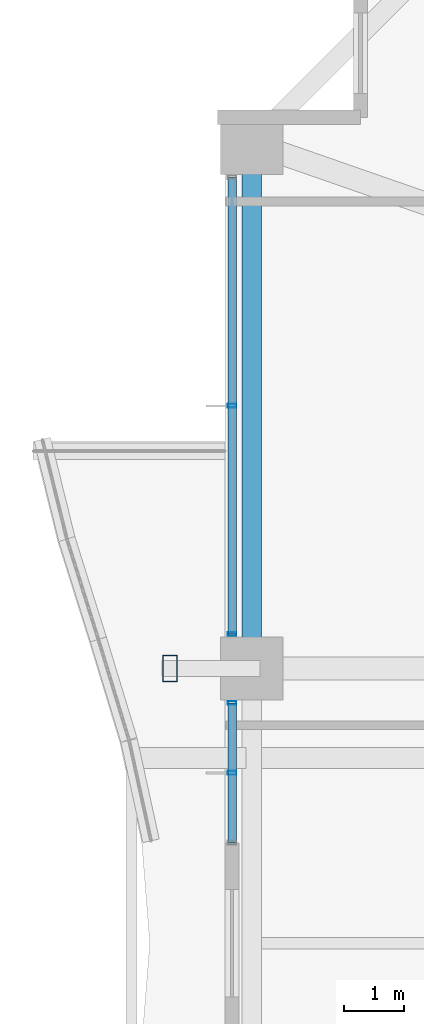
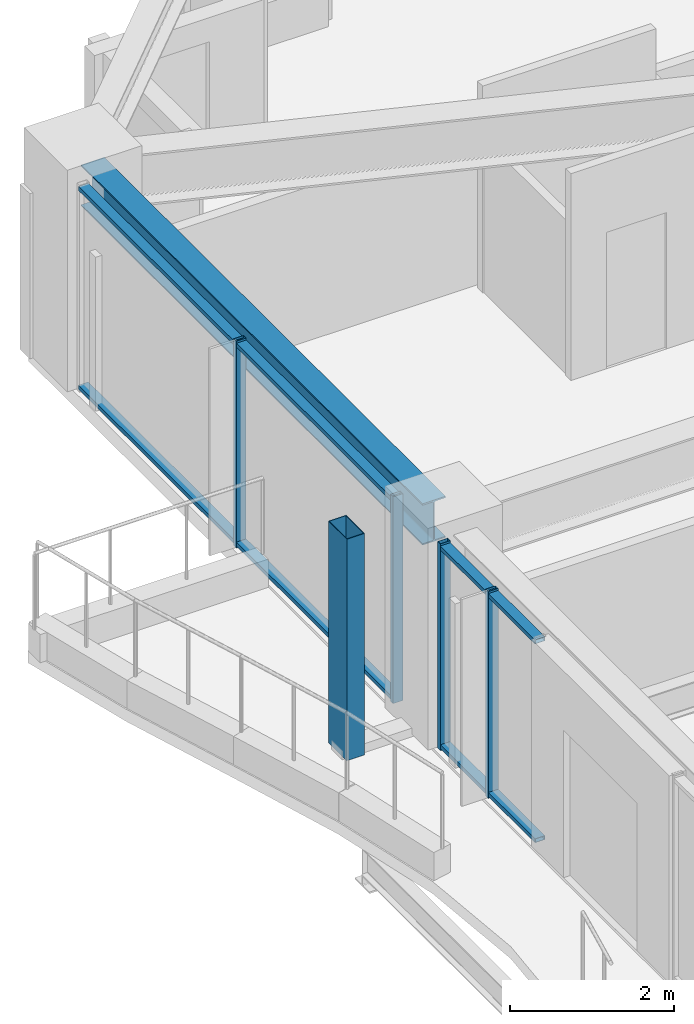
# One storey, part 9 of 37: 9 members, 1 beam, 2 elements without a shape of their own.
"""IFC4 building model written with IfcOpenShell, lengths in metres."""

from ifc_helpers import new_model, si_unit, direction, frame, origin, origin_2d, place, context, subcontext, project, spatial, hollow_rectangle, i_section, extrude, material, material_profile, profile_set, type_object, element, aggregate, save


model = new_model("IFC4")

# Units and contexts
model_context = context("Model", 3, precision=1e-05, world=origin(), true_north=direction((0.0, 1.0)))
body_context = subcontext(model_context, "Body", "Model", "MODEL_VIEW")
ifc_project = project(units=[si_unit("LENGTHUNIT", "METRE"), si_unit("AREAUNIT", "SQUARE_METRE"), si_unit("VOLUMEUNIT", "CUBIC_METRE"), si_unit("PLANEANGLEUNIT", "RADIAN"), si_unit("MASSUNIT", "GRAM", prefix="KILO")], contexts=[model_context])

# Site, building, storey
site_placement = place(None, origin())
site = spatial("IfcSite", under=ifc_project, at=site_placement, CompositionType="ELEMENT")
building_placement = place(site_placement, origin())
building = spatial("IfcBuilding", under=site, at=building_placement, Name="Kolvaren Belvedere", CompositionType="ELEMENT")
storey_placement = place(building_placement, frame((0.0, 0.0, 82.10009765625)))
storey = spatial("IfcBuildingStorey", under=building, at=storey_placement, Name="L23", CompositionType="ELEMENT", Elevation=82.10009765625)

# Beam
ifc_material_1 = material(Name="Structural steel ASTM A992 Grade 50", Category="steel")
ifc_material_profile_1 = material_profile(ifc_material_1, i_section(OverallWidth=0.324951171875, OverallDepth=0.615966796875, WebThickness=0.013916015625, FlangeThickness=0.021484375, FilletRadius=0.02001953125, at=origin_2d()), Name="W24X117")
ifc_profile_set_1 = profile_set([ifc_material_profile_1], Name="Structural steel ASTM A992 Grade 50")
beam_type = type_object("IfcBeamType", Name="BM-SPAN-W24X117", PredefinedType="SPANDREL", material=ifc_profile_set_1)
beam_placement = place(storey_placement, frame((-19.949951171875, 13.163818359375, 2.77197265625), z_axis=(0.0, -1.0, 0.0), x_axis=(1.0, 0.0, 0.0)))
element("IfcBeam", 1, at=beam_placement, inside=storey, type_object=beam_type, Name="L23 Perimeter Spandrel W4-W3", PredefinedType="SPANDREL", context=body_context, shape_type="SweptSolid", body=[
    extrude(i_section(OverallWidth=0.324951171875, OverallDepth=0.615966796875, WebThickness=0.013916015625, FlangeThickness=0.021484375, FilletRadius=0.02001953125, at=origin_2d()), origin(), (0.0, 0.0, 1.0), 8.32763671875),
])

# Curtain wall, members
ifc_material_2 = material(Name="Anodised pale-metal aluminium AA 6063-T6", Category="aluminium")
curtain_wall_type = type_object("IfcCurtainWallType", Name="CW-Z2-MID", PredefinedType="NOTDEFINED", material=ifc_material_2)
curtain_wall_1_placement = place(storey_placement, origin())
curtain_wall_1 = element("IfcCurtainWall", 2, at=curtain_wall_1_placement, inside=storey, type_object=curtain_wall_type, Name="L23 Unitised Curtain Wall FCW-L23-W2-B1", PredefinedType="NOTDEFINED")
ifc_material_3 = material(Name="Anodised pale-metal aluminium AA 6063-T6", Category="aluminium")
ifc_material_profile_2 = material_profile(ifc_material_3, hollow_rectangle(XDim=0.06494140625, YDim=0.139892578125, WallThickness=0.00390625, at=origin_2d()), Name="ALU-MUL-140X65")
ifc_profile_set_2 = profile_set([ifc_material_profile_2], Name="Anodised pale-metal aluminium AA 6063-T6")
member_type_1 = type_object("IfcMemberType", Name="CW-MUL-140", PredefinedType="MULLION", material=ifc_profile_set_2)
member_1_placement = place(storey_placement, frame((-20.280029296875, 2.851318359375, 0.0), z_axis=(0.0, 0.0, 1.0), x_axis=(0.0, 1.0, 0.0)))
member_1 = element("IfcMember", 3, at=member_1_placement, type_object=member_type_1, Name="FCW-L23-W2-B1 Unitised Mullion 2", PredefinedType="MULLION", context=body_context, shape_type="SweptSolid", body=[
    extrude(hollow_rectangle(XDim=0.06494140625, YDim=0.139892578125, WallThickness=0.00390625, at=origin_2d()), origin(), (0.0, 0.0, 1.0), 3.079833984375),
])
member_2_placement = place(storey_placement, frame((-20.280029296875, 4.0224609375, 0.0), z_axis=(0.0, 0.0, 1.0), x_axis=(0.0, 1.0, 0.0)))
member_2 = element("IfcMember", 4, at=member_2_placement, type_object=member_type_1, Name="FCW-L23-W2-B1 Unitised Mullion 3", PredefinedType="MULLION", context=body_context, shape_type="SweptSolid", body=[
    extrude(hollow_rectangle(XDim=0.06494140625, YDim=0.139892578125, WallThickness=0.00390625, at=origin_2d()), origin(), (0.0, 0.0, 1.0), 3.079833984375),
])

curtain_wall_2_placement = place(storey_placement, origin())
curtain_wall_2 = element("IfcCurtainWall", 5, at=curtain_wall_2_placement, inside=storey, type_object=curtain_wall_type, Name="L23 Unitised Curtain Wall FCW-L23-W2-B2", PredefinedType="NOTDEFINED")
member_3_placement = place(storey_placement, frame((-20.280029296875, 5.177490234375, 0.0), z_axis=(0.0, 0.0, 1.0), x_axis=(0.0, 1.0, 0.0)))
member_3 = element("IfcMember", 6, at=member_3_placement, type_object=member_type_1, Name="FCW-L23-W2-B2 Unitised Mullion 1", PredefinedType="MULLION", context=body_context, shape_type="SweptSolid", body=[
    extrude(hollow_rectangle(XDim=0.06494140625, YDim=0.139892578125, WallThickness=0.00390625, at=origin_2d()), origin(), (0.0, 0.0, 1.0), 3.079833984375),
])
member_4_placement = place(storey_placement, frame((-20.280029296875, 9.0, 0.0), z_axis=(0.0, 0.0, 1.0), x_axis=(0.0, 1.0, 0.0)))
member_4 = element("IfcMember", 7, at=member_4_placement, type_object=member_type_1, Name="FCW-L23-W2-B2 Unitised Mullion 2", PredefinedType="MULLION", context=body_context, shape_type="SweptSolid", body=[
    extrude(hollow_rectangle(XDim=0.06494140625, YDim=0.139892578125, WallThickness=0.00390625, at=origin_2d()), origin(), (0.0, 0.0, 1.0), 3.079833984375),
])

# Member
ifc_material_4 = material(Name="Anodised pale-metal aluminium AA 6063-T6", Category="aluminium")
ifc_material_profile_3 = material_profile(ifc_material_4, hollow_rectangle(XDim=0.06005859375, YDim=0.139892578125, WallThickness=0.00390625, at=origin_2d()), Name="ALU-TRN-140X60")
ifc_profile_set_3 = profile_set([ifc_material_profile_3], Name="Anodised pale-metal aluminium AA 6063-T6")
member_type_2 = type_object("IfcMemberType", Name="CW-TRN-140", PredefinedType="USERDEFINED", material=ifc_profile_set_3)
member_5_placement = place(storey_placement, frame((-20.280029296875, 1.679931640625, 0.059814453125), z_axis=(0.0, 1.0, 0.0), x_axis=(0.0, 0.0, 1.0)))
member_5 = element("IfcMember", 8, at=member_5_placement, type_object=member_type_2, Name="FCW-L23-W2-B1 Sill Transom", ObjectType="TRANSOM", PredefinedType="USERDEFINED", context=body_context, shape_type="SweptSolid", body=[
    extrude(hollow_rectangle(XDim=0.06005859375, YDim=0.139892578125, WallThickness=0.00390625, at=origin_2d()), origin(), (0.0, 0.0, 1.0), 2.342529296875),
])

member_6_placement = place(storey_placement, frame((-20.280029296875, 1.679931640625, 3.02001953125), z_axis=(0.0, 1.0, 0.0), x_axis=(0.0, 0.0, 1.0)))
member_6 = element("IfcMember", 9, at=member_6_placement, type_object=member_type_2, Name="FCW-L23-W2-B1 Head Transom", ObjectType="TRANSOM", PredefinedType="USERDEFINED", context=body_context, shape_type="SweptSolid", body=[
    extrude(hollow_rectangle(XDim=0.06005859375, YDim=0.139892578125, WallThickness=0.00390625, at=origin_2d()), origin(), (0.0, 0.0, 1.0), 2.342529296875),
])

aggregate(curtain_wall_1, [member_1, member_2, member_5, member_6])

member_7_placement = place(storey_placement, frame((-20.280029296875, 5.177490234375, 0.059814453125), z_axis=(0.0, 1.0, 0.0), x_axis=(0.0, 0.0, 1.0)))
member_7 = element("IfcMember", 10, at=member_7_placement, type_object=member_type_2, Name="FCW-L23-W2-B2 Sill Transom", ObjectType="TRANSOM", PredefinedType="USERDEFINED", context=body_context, shape_type="SweptSolid", body=[
    extrude(hollow_rectangle(XDim=0.06005859375, YDim=0.139892578125, WallThickness=0.00390625, at=origin_2d()), origin(), (0.0, 0.0, 1.0), 7.64501953125),
])

member_8_placement = place(storey_placement, frame((-20.280029296875, 5.177490234375, 3.02001953125), z_axis=(0.0, 1.0, 0.0), x_axis=(0.0, 0.0, 1.0)))
member_8 = element("IfcMember", 11, at=member_8_placement, type_object=member_type_2, Name="FCW-L23-W2-B2 Head Transom", ObjectType="TRANSOM", PredefinedType="USERDEFINED", context=body_context, shape_type="SweptSolid", body=[
    extrude(hollow_rectangle(XDim=0.06005859375, YDim=0.139892578125, WallThickness=0.00390625, at=origin_2d()), origin(), (0.0, 0.0, 1.0), 7.64501953125),
])

aggregate(curtain_wall_2, [member_3, member_4, member_7, member_8])

ifc_material_5 = material(Name="Anodised pale-metal aluminium AA 6063-T6", Category="aluminium")
ifc_material_profile_4 = material_profile(ifc_material_5, hollow_rectangle(XDim=0.25, YDim=0.449951171875, WallThickness=0.008544921875, at=origin_2d()), Name="ALU-PF-450X250")
ifc_profile_set_4 = profile_set([ifc_material_profile_4], Name="Anodised pale-metal aluminium AA 6063-T6")
member_type_3 = type_object("IfcMemberType", Name="PF-FRAME-450", PredefinedType="USERDEFINED", material=ifc_profile_set_4)
member_9_placement = place(storey_placement, frame((-21.320068359375, 4.60009765625, 0.0), z_axis=(0.0, 0.0, 1.0), x_axis=(1.0, 0.0, 0.0)))
element("IfcMember", 12, at=member_9_placement, inside=storey, type_object=member_type_3, Name="L23 Outboard Picture-Frame Vertical W2", ObjectType="PICTURE FRAME FIN", PredefinedType="USERDEFINED", context=body_context, shape_type="SweptSolid", body=[
    extrude(hollow_rectangle(XDim=0.25, YDim=0.449951171875, WallThickness=0.008544921875, at=origin_2d()), origin(), (0.0, 0.0, 1.0), 3.2998046875),
])

save(model, "model.ifc")
